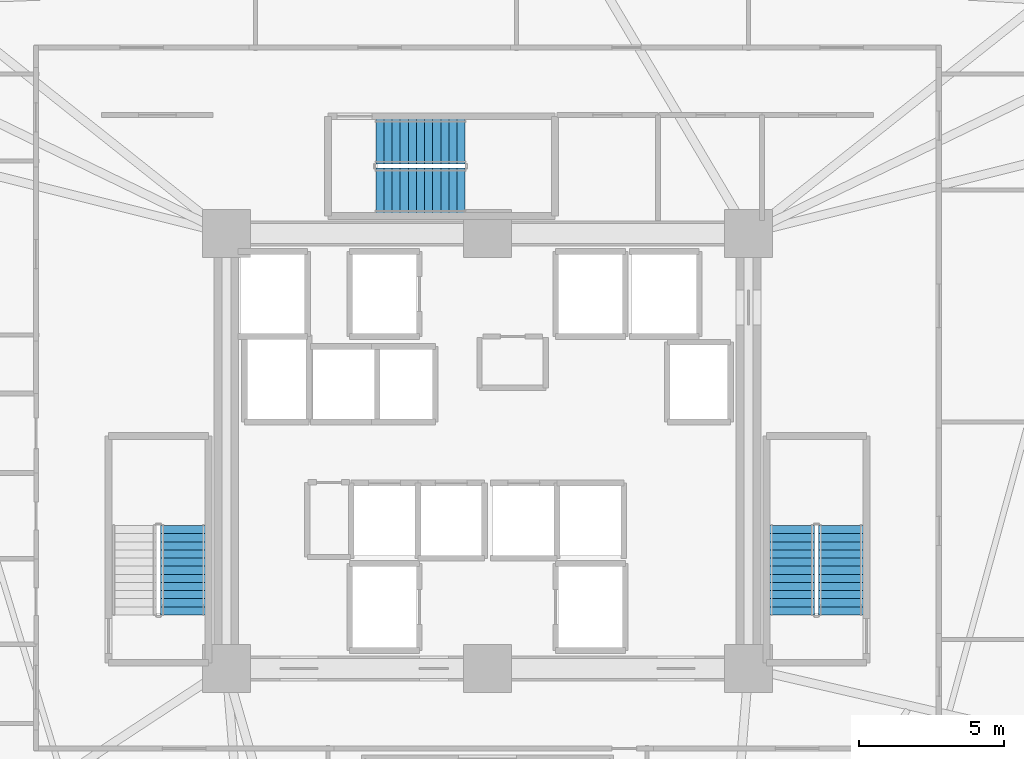
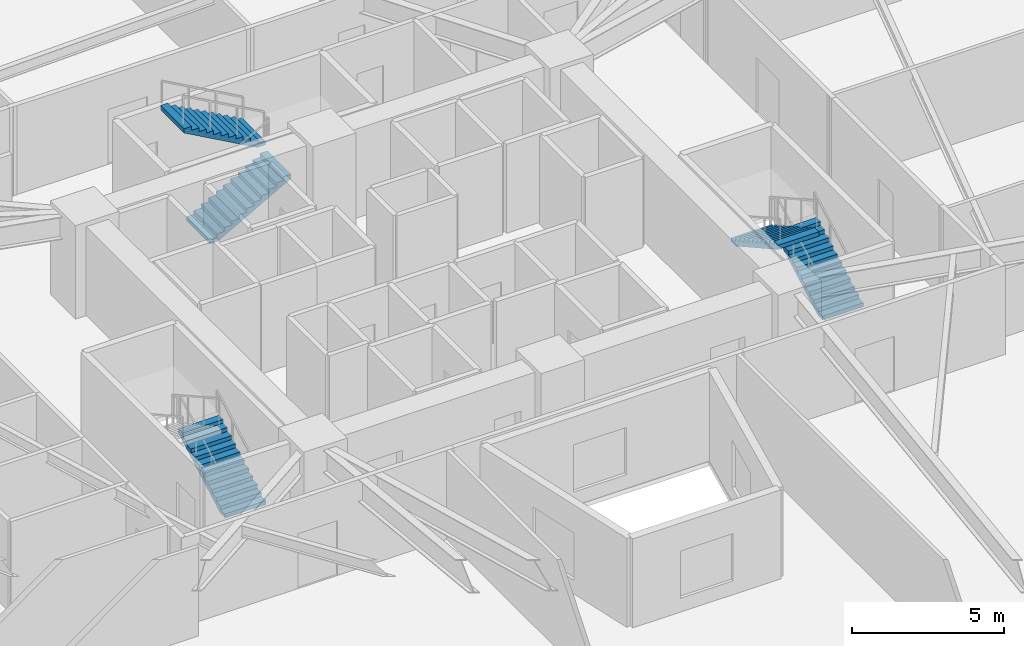
# One storey, part 8 of 9: 5 stair flights, 3 elements without a shape of their own.
"""IFC4 building model written with IfcOpenShell, lengths in metres."""

from ifc_helpers import new_model, si_unit, direction, frame, origin, place, context, subcontext, project, spatial, polyline, outline, extrude, material, type_object, element, aggregate, save


model = new_model("IFC4")

# Units and contexts
model_context = context("Model", 3, precision=1e-05, world=origin(), true_north=direction((0.0, 1.0)))
body_context = subcontext(model_context, "Body", "Model", "MODEL_VIEW")
ifc_project = project(units=[si_unit("LENGTHUNIT", "METRE"), si_unit("AREAUNIT", "SQUARE_METRE"), si_unit("VOLUMEUNIT", "CUBIC_METRE"), si_unit("PLANEANGLEUNIT", "RADIAN"), si_unit("MASSUNIT", "GRAM", prefix="KILO")], contexts=[model_context])

# Site, building, storey
site_placement = place(None, origin())
site = spatial("IfcSite", under=ifc_project, at=site_placement, CompositionType="ELEMENT")
building_placement = place(site_placement, origin())
building = spatial("IfcBuilding", under=site, at=building_placement, Name="Liaohun Quay Tower", CompositionType="ELEMENT")
storey_placement = place(building_placement, frame((0.0, 0.0, 59.25)))
storey = spatial("IfcBuildingStorey", under=building, at=storey_placement, Name="L15", CompositionType="ELEMENT", Elevation=59.25)

# Stair, stair flight
ifc_material = material(Name="Concrete C45", Category="concrete")
stair_type = type_object("IfcStairType", Name="STR-CORE-OFF", PredefinedType="HALF_TURN_STAIR", material=ifc_material)
stair_1_placement = place(storey_placement, origin())
stair_1 = element("IfcStair", 1, at=stair_1_placement, inside=storey, type_object=stair_type, Name="L15 Smokeproof Core Exit Stair ST-1", PredefinedType="HALF_TURN_STAIR")
stair_flight_type = type_object("IfcStairFlightType", Name="FLT-CORE-155", PredefinedType="STRAIGHT", material=ifc_material)
stair_flight_1_placement = place(storey_placement, frame((49.5048828125, 48.35009765625, 0.0), z_axis=(0.0, 0.0, 1.0), x_axis=(0.0, 1.0, 0.0)))
stair_flight_1 = element("IfcStairFlight", 2, at=stair_flight_1_placement, type_object=stair_flight_type, Name="ST-1 flight 1", NumberOfRisers=12, NumberOfTreads=11, PredefinedType="STRAIGHT", RiserHeight=0.15625, TreadLength=0.28, context=body_context, shape_type="SweptSolid", body=[
    extrude(outline(polyline([(0.0, 0.0), (0.0, 0.15625), (0.280029296875, 0.15625), (0.280029296875, 0.3125), (0.56005859375, 0.3125), (0.56005859375, 0.46875), (0.840087890625, 0.46875), (0.840087890625, 0.625), (1.1201171875, 0.625), (1.1201171875, 0.78125), (1.39990234375, 0.78125), (1.39990234375, 0.9375), (1.679931640625, 0.9375), (1.679931640625, 1.09375), (1.9599609375, 1.09375), (1.9599609375, 1.25), (2.239990234375, 1.25), (2.239990234375, 1.40625), (2.52001953125, 1.40625), (2.52001953125, 1.5625), (2.800048828125, 1.5625), (2.800048828125, 1.71875), (3.080078125, 1.71875), (3.080078125, 1.875), (3.080078125, 1.547119140625), (0.3076171875, 0.0), (0.0, 0.0)])), frame((0.0, 0.77490234375, 0.0), z_axis=(0.0, -1.0, 0.0), x_axis=(1.0, 0.0, 0.0)), (0.0, 0.0, 1.0), 1.550048828125),
])
aggregate(stair_1, [stair_flight_1])

# Stair, stair flights
stair_2_placement = place(storey_placement, origin())
stair_2 = element("IfcStair", 3, at=stair_2_placement, inside=storey, type_object=stair_type, Name="L15 Smokeproof Core Exit Stair ST-2", PredefinedType="HALF_TURN_STAIR")
stair_flight_2_placement = place(storey_placement, frame((72.18505859375, 48.35009765625, 0.0), z_axis=(0.0, 0.0, 1.0), x_axis=(0.0, 1.0, 0.0)))
stair_flight_2 = element("IfcStairFlight", 4, at=stair_flight_2_placement, type_object=stair_flight_type, Name="ST-2 flight 1", NumberOfRisers=12, NumberOfTreads=11, PredefinedType="STRAIGHT", RiserHeight=0.15625, TreadLength=0.28, context=body_context, shape_type="SweptSolid", body=[
    extrude(outline(polyline([(0.0, 0.0), (0.0, 0.15625), (0.280029296875, 0.15625), (0.280029296875, 0.3125), (0.56005859375, 0.3125), (0.56005859375, 0.46875), (0.840087890625, 0.46875), (0.840087890625, 0.625), (1.1201171875, 0.625), (1.1201171875, 0.78125), (1.39990234375, 0.78125), (1.39990234375, 0.9375), (1.679931640625, 0.9375), (1.679931640625, 1.09375), (1.9599609375, 1.09375), (1.9599609375, 1.25), (2.239990234375, 1.25), (2.239990234375, 1.40625), (2.52001953125, 1.40625), (2.52001953125, 1.5625), (2.800048828125, 1.5625), (2.800048828125, 1.71875), (3.080078125, 1.71875), (3.080078125, 1.875), (3.080078125, 1.547119140625), (0.3076171875, 0.0), (0.0, 0.0)])), frame((0.0, 0.77490234375, 0.0), z_axis=(0.0, -1.0, 0.0), x_axis=(1.0, 0.0, 0.0)), (0.0, 0.0, 1.0), 1.550048828125),
])
stair_flight_3_placement = place(storey_placement, frame((70.4951171875, 51.429931640625, 1.875), z_axis=(0.0, 0.0, 1.0), x_axis=(0.0, -1.0, 0.0)))
stair_flight_3 = element("IfcStairFlight", 5, at=stair_flight_3_placement, type_object=stair_flight_type, Name="ST-2 flight 2", NumberOfRisers=12, NumberOfTreads=11, PredefinedType="STRAIGHT", RiserHeight=0.15625, TreadLength=0.28, context=body_context, shape_type="SweptSolid", body=[
    extrude(outline(polyline([(0.0, 0.0), (0.0, 0.15625), (0.280029296875, 0.15625), (0.280029296875, 0.3125), (0.56005859375, 0.3125), (0.56005859375, 0.46875), (0.840087890625, 0.46875), (0.840087890625, 0.625), (1.1201171875, 0.625), (1.1201171875, 0.78125), (1.39990234375, 0.78125), (1.39990234375, 0.9375), (1.679931640625, 0.9375), (1.679931640625, 1.09375), (1.9599609375, 1.09375), (1.9599609375, 1.25), (2.239990234375, 1.25), (2.239990234375, 1.40625), (2.52001953125, 1.40625), (2.52001953125, 1.5625), (2.800048828125, 1.5625), (2.800048828125, 1.71875), (3.080078125, 1.71875), (3.080078125, 1.875), (3.080078125, 1.547119140625), (0.3076171875, 0.0), (0.0, 0.0)])), frame((0.0, 0.77490234375, 0.0), z_axis=(0.0, -1.0, 0.0), x_axis=(1.0, 0.0, 0.0)), (0.0, 0.0, 1.0), 1.550048828125),
])
aggregate(stair_2, [stair_flight_2, stair_flight_3])

stair_3_placement = place(storey_placement, origin())
stair_3 = element("IfcStair", 6, at=stair_3_placement, inside=storey, type_object=stair_type, Name="L15 Smokeproof Core Exit Stair ST-3", PredefinedType="HALF_TURN_STAIR")
stair_flight_4_placement = place(storey_placement, frame((56.14990234375, 62.97509765625, 0.0), z_axis=(0.0, 0.0, 1.0), x_axis=(1.0, 0.0, 0.0)))
stair_flight_4 = element("IfcStairFlight", 7, at=stair_flight_4_placement, type_object=stair_flight_type, Name="ST-3 flight 1", NumberOfRisers=12, NumberOfTreads=11, PredefinedType="STRAIGHT", RiserHeight=0.15625, TreadLength=0.28, context=body_context, shape_type="SweptSolid", body=[
    extrude(outline(polyline([(0.0, 0.0), (0.0, 0.15625), (0.280029296875, 0.15625), (0.280029296875, 0.3125), (0.56005859375, 0.3125), (0.56005859375, 0.46875), (0.840087890625, 0.46875), (0.840087890625, 0.625), (1.1201171875, 0.625), (1.1201171875, 0.78125), (1.39990234375, 0.78125), (1.39990234375, 0.9375), (1.679931640625, 0.9375), (1.679931640625, 1.09375), (1.9599609375, 1.09375), (1.9599609375, 1.25), (2.239990234375, 1.25), (2.239990234375, 1.40625), (2.52001953125, 1.40625), (2.52001953125, 1.5625), (2.800048828125, 1.5625), (2.800048828125, 1.71875), (3.080078125, 1.71875), (3.080078125, 1.875), (3.080078125, 1.547119140625), (0.3076171875, 0.0), (0.0, 0.0)])), frame((0.0, 0.77490234375, 0.0), z_axis=(0.0, -1.0, 0.0), x_axis=(1.0, 0.0, 0.0)), (0.0, 0.0, 1.0), 1.550048828125),
])
stair_flight_5_placement = place(storey_placement, frame((59.22998046875, 64.6650390625, 1.875), z_axis=(0.0, 0.0, 1.0), x_axis=(-1.0, 0.0, 0.0)))
stair_flight_5 = element("IfcStairFlight", 8, at=stair_flight_5_placement, type_object=stair_flight_type, Name="ST-3 flight 2", NumberOfRisers=12, NumberOfTreads=11, PredefinedType="STRAIGHT", RiserHeight=0.15625, TreadLength=0.28, context=body_context, shape_type="SweptSolid", body=[
    extrude(outline(polyline([(0.0, 0.0), (0.0, 0.15625), (0.280029296875, 0.15625), (0.280029296875, 0.3125), (0.56005859375, 0.3125), (0.56005859375, 0.46875), (0.840087890625, 0.46875), (0.840087890625, 0.625), (1.1201171875, 0.625), (1.1201171875, 0.78125), (1.39990234375, 0.78125), (1.39990234375, 0.9375), (1.679931640625, 0.9375), (1.679931640625, 1.09375), (1.9599609375, 1.09375), (1.9599609375, 1.25), (2.239990234375, 1.25), (2.239990234375, 1.40625), (2.52001953125, 1.40625), (2.52001953125, 1.5625), (2.800048828125, 1.5625), (2.800048828125, 1.71875), (3.080078125, 1.71875), (3.080078125, 1.875), (3.080078125, 1.547119140625), (0.3076171875, 0.0), (0.0, 0.0)])), frame((0.0, 0.77490234375, 0.0), z_axis=(0.0, -1.0, 0.0), x_axis=(1.0, 0.0, 0.0)), (0.0, 0.0, 1.0), 1.550048828125),
])
aggregate(stair_3, [stair_flight_4, stair_flight_5])

save(model, "model.ifc")
